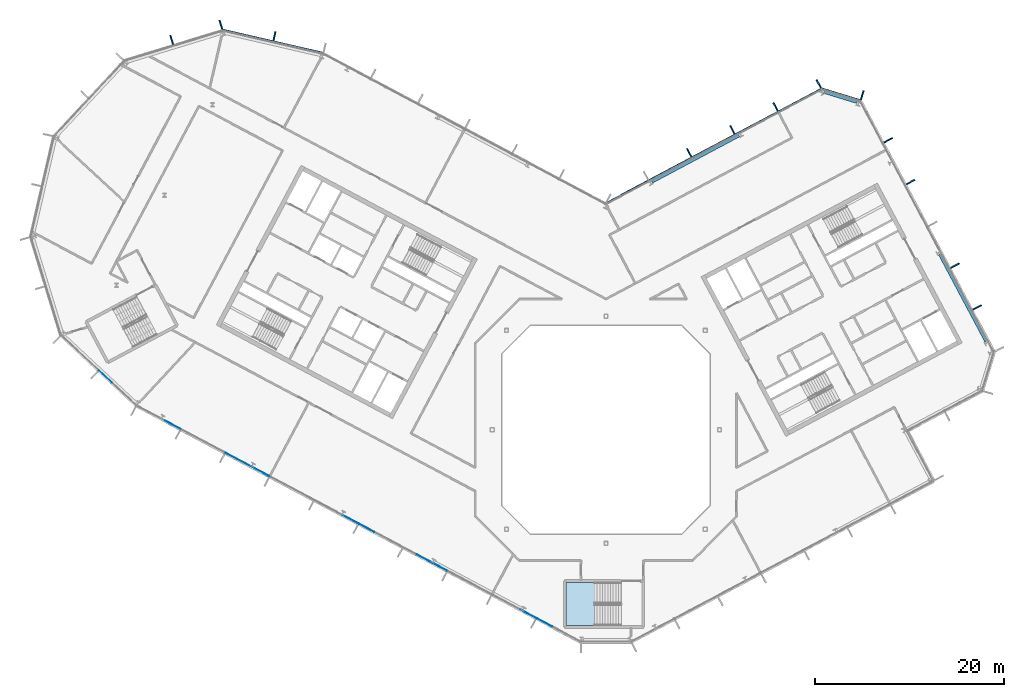
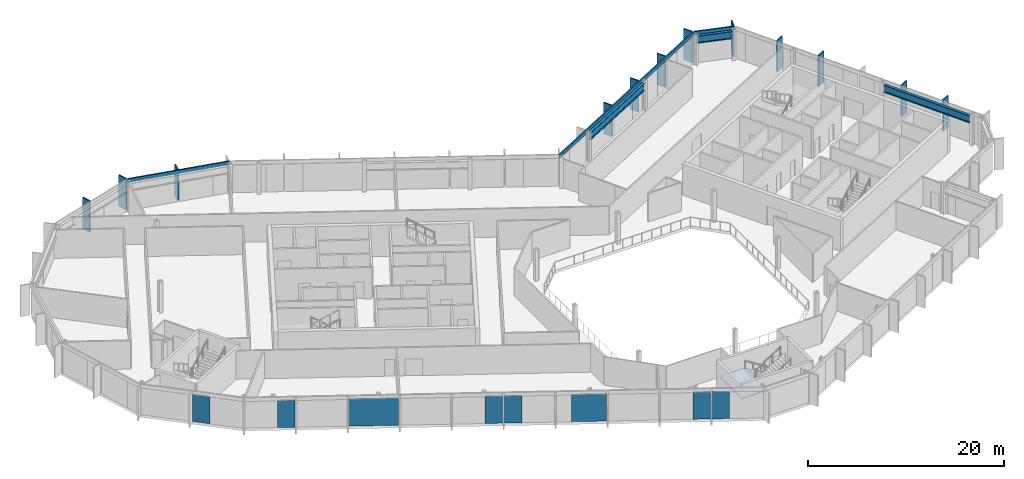
# One storey, part 10 of 25: 15 members, 8 plates, 3 beams, 1 slab, 8 elements without a shape of their own.
"""IFC4 building model written with IfcOpenShell, lengths in metres."""

from ifc_helpers import new_model, si_unit, direction, frame, origin, origin_2d, place, context, subcontext, project, spatial, polyline, rectangle, i_section, outline, extrude, material, layer, layer_set, material_profile, profile_set, type_object, element, aggregate, save


model = new_model("IFC4")

# Units and contexts
model_context = context("Model", 3, precision=1e-05, world=origin(), true_north=direction((0.0, 1.0)))
body_context = subcontext(model_context, "Body", "Model", "MODEL_VIEW")
ifc_project = project(units=[si_unit("LENGTHUNIT", "METRE"), si_unit("AREAUNIT", "SQUARE_METRE"), si_unit("VOLUMEUNIT", "CUBIC_METRE"), si_unit("PLANEANGLEUNIT", "RADIAN"), si_unit("MASSUNIT", "GRAM", prefix="KILO")], contexts=[model_context])

# Site, building, storey
site_placement = place(None, origin())
site = spatial("IfcSite", under=ifc_project, at=site_placement, CompositionType="ELEMENT")
building_placement = place(site_placement, origin())
building = spatial("IfcBuilding", under=site, at=building_placement, Name="Cormorant Relay Tower", CompositionType="ELEMENT")
storey_placement = place(building_placement, frame((0.0, 0.0, 281.39990234375)))
storey = spatial("IfcBuildingStorey", under=building, at=storey_placement, Name="L63", CompositionType="ELEMENT", Elevation=281.39990234375)

# Curtain wall, members
ifc_material_1 = material(Name="Aluminium 6063-T6 anodised bronze", Category="aluminium")
ifc_layer_1 = layer(ifc_material_1, 0.199951171875)
ifc_layer_set_1 = layer_set([ifc_layer_1], Name="CW1 unitised bronze curtain wall with vertical fins")
curtain_wall_type = type_object("IfcCurtainWallType", Name="CW1 unitised bronze curtain wall with vertical fins", PredefinedType="NOTDEFINED", material=ifc_layer_set_1)
curtain_wall_1_placement = place(storey_placement, origin())
curtain_wall_1 = element("IfcCurtainWall", 1, at=curtain_wall_1_placement, inside=storey, type_object=curtain_wall_type, Name="CW1 curtain wall 6", PredefinedType="NOTDEFINED")
ifc_material_2 = material(Name="Aluminium 6063-T6 anodised bronze", Category="aluminium")
ifc_material_profile_1 = material_profile(ifc_material_2, rectangle(XDim=0.14990234375, YDim=1.0, at=origin_2d()), Name="AL 150x1000")
ifc_profile_set_1 = profile_set([ifc_material_profile_1], Name="Aluminium 6063-T6 anodised bronze")
member_type_1 = type_object("IfcMemberType", Name="CW1 bronze fin mullion 150 x 1000", PredefinedType="MULLION", material=ifc_profile_set_1)
member_1_placement = place(storey_placement, frame((39.222412109375, 12.927001953125, 0.0), z_axis=(0.0, 0.0, 1.0), x_axis=(-0.469471562786, 0.882947592859, 0.0)))
member_1 = element("IfcMember", 2, at=member_1_placement, type_object=member_type_1, Name="CW1 fin 6.2", PredefinedType="MULLION", context=body_context, shape_type="SweptSolid", body=[
    extrude(rectangle(XDim=0.14990234375, YDim=1.0, at=origin_2d()), origin(), (0.0, 0.0, 1.0), 3.900146484375),
])
member_2_placement = place(storey_placement, frame((36.875, 17.341552734375, 0.0), z_axis=(0.0, 0.0, 1.0), x_axis=(-0.469471562786, 0.882947592859, 0.0)))
member_2 = element("IfcMember", 3, at=member_2_placement, type_object=member_type_1, Name="CW1 fin 6.3", PredefinedType="MULLION", context=body_context, shape_type="SweptSolid", body=[
    extrude(rectangle(XDim=0.14990234375, YDim=1.0, at=origin_2d()), origin(), (0.0, 0.0, 1.0), 3.900146484375),
])
member_3_placement = place(storey_placement, frame((32.18017578125, 26.171142578125, 0.0), z_axis=(0.0, 0.0, 1.0), x_axis=(-0.469471562786, 0.882947592859, 0.0)))
member_3 = element("IfcMember", 4, at=member_3_placement, type_object=member_type_1, Name="CW1 fin 6.5", PredefinedType="MULLION", context=body_context, shape_type="SweptSolid", body=[
    extrude(rectangle(XDim=0.14990234375, YDim=1.0, at=origin_2d()), origin(), (0.0, 0.0, 1.0), 3.900146484375),
])
member_4_placement = place(storey_placement, frame((29.832763671875, 30.585693359375, 0.0), z_axis=(0.0, 0.0, 1.0), x_axis=(-0.469471562786, 0.882947592859, 0.0)))
member_4 = element("IfcMember", 5, at=member_4_placement, type_object=member_type_1, Name="CW1 fin 6.6", PredefinedType="MULLION", context=body_context, shape_type="SweptSolid", body=[
    extrude(rectangle(XDim=0.14990234375, YDim=1.0, at=origin_2d()), origin(), (0.0, 0.0, 1.0), 3.900146484375),
])
aggregate(curtain_wall_1, [member_1, member_2, member_3, member_4])

# Curtain wall, member
curtain_wall_2_placement = place(storey_placement, origin())
curtain_wall_2 = element("IfcCurtainWall", 6, at=curtain_wall_2_placement, inside=storey, type_object=curtain_wall_type, Name="CW1 curtain wall 7", PredefinedType="NOTDEFINED")
member_5_placement = place(storey_placement, frame((27.072021484375, 35.34130859375, 0.0), z_axis=(0.0, 0.0, 1.0), x_axis=(-0.956304755963, 0.292371704723, 0.0)))
member_5 = element("IfcMember", 7, at=member_5_placement, type_object=member_type_1, Name="CW1 fin 7.1", PredefinedType="MULLION", context=body_context, shape_type="SweptSolid", body=[
    extrude(rectangle(XDim=0.14990234375, YDim=1.0, at=origin_2d()), origin(), (0.0, 0.0, 1.0), 3.900146484375),
])

# Curtain wall, members
curtain_wall_3_placement = place(storey_placement, origin())
curtain_wall_3 = element("IfcCurtainWall", 8, at=curtain_wall_3_placement, inside=storey, type_object=curtain_wall_type, Name="CW1 curtain wall 8", PredefinedType="NOTDEFINED")
member_6_placement = place(storey_placement, frame((22.4814453125, 36.530517578125, 0.0), z_axis=(0.0, 0.0, 1.0), x_axis=(-0.882947592859, -0.469471562786, 0.0)))
member_6 = element("IfcMember", 9, at=member_6_placement, type_object=member_type_1, Name="CW1 fin 8.1", PredefinedType="MULLION", context=body_context, shape_type="SweptSolid", body=[
    extrude(rectangle(XDim=0.14990234375, YDim=1.0, at=origin_2d()), origin(), (0.0, 0.0, 1.0), 3.900146484375),
])
member_7_placement = place(storey_placement, frame((17.91943359375, 34.104736328125, 0.0), z_axis=(0.0, 0.0, 1.0), x_axis=(-0.882947592859, -0.469471562786, 0.0)))
member_7 = element("IfcMember", 10, at=member_7_placement, type_object=member_type_1, Name="CW1 fin 8.2", PredefinedType="MULLION", context=body_context, shape_type="SweptSolid", body=[
    extrude(rectangle(XDim=0.14990234375, YDim=1.0, at=origin_2d()), origin(), (0.0, 0.0, 1.0), 3.900146484375),
])
member_8_placement = place(storey_placement, frame((13.357421875, 31.67919921875, 0.0), z_axis=(0.0, 0.0, 1.0), x_axis=(-0.882947592859, -0.469471562786, 0.0)))
member_8 = element("IfcMember", 11, at=member_8_placement, type_object=member_type_1, Name="CW1 fin 8.3", PredefinedType="MULLION", context=body_context, shape_type="SweptSolid", body=[
    extrude(rectangle(XDim=0.14990234375, YDim=1.0, at=origin_2d()), origin(), (0.0, 0.0, 1.0), 3.900146484375),
])
member_9_placement = place(storey_placement, frame((8.79541015625, 29.25341796875, 0.0), z_axis=(0.0, 0.0, 1.0), x_axis=(-0.882947592859, -0.469471562786, 0.0)))
member_9 = element("IfcMember", 12, at=member_9_placement, type_object=member_type_1, Name="CW1 fin 8.4", PredefinedType="MULLION", context=body_context, shape_type="SweptSolid", body=[
    extrude(rectangle(XDim=0.14990234375, YDim=1.0, at=origin_2d()), origin(), (0.0, 0.0, 1.0), 3.900146484375),
])

# Curtain wall, member
curtain_wall_4_placement = place(storey_placement, origin())
curtain_wall_4 = element("IfcCurtainWall", 13, at=curtain_wall_4_placement, inside=storey, type_object=curtain_wall_type, Name="CW1 curtain wall 10", PredefinedType="NOTDEFINED")
member_10_placement = place(storey_placement, frame((-35.01220703125, 41.57275390625, 0.0), z_axis=(0.0, 0.0, 1.0), x_axis=(-0.974370064785, 0.224951054344, 0.0)))
member_10 = element("IfcMember", 14, at=member_10_placement, type_object=member_type_1, Name="CW1 fin 10.2", PredefinedType="MULLION", context=body_context, shape_type="SweptSolid", body=[
    extrude(rectangle(XDim=0.14990234375, YDim=1.0, at=origin_2d()), origin(), (0.0, 0.0, 1.0), 3.900146484375),
])

# Curtain wall, members
curtain_wall_5_placement = place(storey_placement, origin())
curtain_wall_5 = element("IfcCurtainWall", 15, at=curtain_wall_5_placement, inside=storey, type_object=curtain_wall_type, Name="CW1 curtain wall 11", PredefinedType="NOTDEFINED")
member_11_placement = place(storey_placement, frame((-40.670166015625, 42.78271484375, 0.0), z_axis=(0.0, 0.0, 1.0), x_axis=(-0.956304755963, -0.292371704723, 0.0)))
member_11 = element("IfcMember", 16, at=member_11_placement, type_object=member_type_1, Name="CW1 fin 11.1", PredefinedType="MULLION", context=body_context, shape_type="SweptSolid", body=[
    extrude(rectangle(XDim=0.14990234375, YDim=1.0, at=origin_2d()), origin(), (0.0, 0.0, 1.0), 3.900146484375),
])
member_12_placement = place(storey_placement, frame((-45.867919921875, 41.193603515625, 0.0), z_axis=(0.0, 0.0, 1.0), x_axis=(-0.956304755963, -0.292371704723, 0.0)))
member_12 = element("IfcMember", 17, at=member_12_placement, type_object=member_type_1, Name="CW1 fin 11.2", PredefinedType="MULLION", context=body_context, shape_type="SweptSolid", body=[
    extrude(rectangle(XDim=0.14990234375, YDim=1.0, at=origin_2d()), origin(), (0.0, 0.0, 1.0), 3.900146484375),
])
aggregate(curtain_wall_5, [member_11, member_12])

# Member
ifc_material_3 = material(Name="Aluminium 6063-T6 anodised bronze", Category="aluminium")
ifc_material_profile_2 = material_profile(ifc_material_3, rectangle(XDim=0.159912109375, YDim=0.449951171875, at=origin_2d()), Name="AL 160x450")
ifc_profile_set_2 = profile_set([ifc_material_profile_2], Name="Aluminium 6063-T6 anodised bronze")
member_type_2 = type_object("IfcMemberType", Name="CW1 bronze transom 160 x 450", PredefinedType="USERDEFINED", material=ifc_profile_set_2)
member_13_placement = place(storey_placement, frame((26.902587890625, 34.78662109375, 3.675048828125), z_axis=(-0.956303761594, 0.292374957137, 0.0), x_axis=(-0.292374957137, -0.956303761594, 0.0)))
member_13 = element("IfcMember", 18, at=member_13_placement, type_object=member_type_2, Name="CW1 transom 7", ObjectType="TRANSOM", PredefinedType="USERDEFINED", context=body_context, shape_type="SweptSolid", body=[
    extrude(rectangle(XDim=0.159912109375, YDim=0.449951171875, at=origin_2d()), origin(), (0.0, 0.0, 1.0), 4.24267578125),
])

aggregate(curtain_wall_2, [member_5, member_13])

member_14_placement = place(storey_placement, frame((22.75390625, 36.018310546875, 3.675048828125), z_axis=(-0.882948156597, -0.469470502547, 0.0), x_axis=(0.469470502547, -0.882948156597, 0.0)))
member_14 = element("IfcMember", 19, at=member_14_placement, type_object=member_type_2, Name="CW1 transom 8", ObjectType="TRANSOM", PredefinedType="USERDEFINED", context=body_context, shape_type="SweptSolid", body=[
    extrude(rectangle(XDim=0.159912109375, YDim=0.449951171875, at=origin_2d()), origin(), (0.0, 0.0, 1.0), 25.834228515625),
])

aggregate(curtain_wall_3, [member_6, member_7, member_8, member_9, member_14])

member_15_placement = place(storey_placement, frame((-29.8466796875, 39.784912109375, 3.675048828125), z_axis=(-0.974365070969, 0.224972683844, 0.0), x_axis=(-0.224972683844, -0.974365070969, 0.0)))
member_15 = element("IfcMember", 20, at=member_15_placement, type_object=member_type_2, Name="CW1 transom 10", ObjectType="TRANSOM", PredefinedType="USERDEFINED", context=body_context, shape_type="SweptSolid", body=[
    extrude(rectangle(XDim=0.159912109375, YDim=0.449951171875, at=origin_2d()), origin(), (0.0, 0.0, 1.0), 10.870361328125),
])

aggregate(curtain_wall_4, [member_10, member_15])

# Beams
ifc_material_4 = material(Name="Steel ASTM A992 (Fy 345 MPa)", Category="steel")
ifc_material_profile_3 = material_profile(ifc_material_4, i_section(OverallWidth=0.307373046875, OverallDepth=0.927001953125, WebThickness=0.019287109375, FlangeThickness=0.031982421875, FilletRadius=0.01904296875, at=origin_2d()), Name="W920x289")
ifc_profile_set_3 = profile_set([ifc_material_profile_3], Name="Steel ASTM A992 (Fy 345 MPa)")
beam_type = type_object("IfcBeamType", Name="Spandrel W920x289", PredefinedType="SPANDREL", material=ifc_profile_set_3)
beam_1_placement = place(storey_placement, frame((40.1591796875, 9.3466796875, 3.076416015625), z_axis=(-0.469474391681, 0.882946088703, 0.0), x_axis=(-0.882946088703, -0.469474391681, 0.0)))
element("IfcBeam", 21, at=beam_1_placement, inside=storey, type_object=beam_type, Name="Spandrel beam L63-006", PredefinedType="SPANDREL", context=body_context, shape_type="SweptSolid", body=[
    extrude(i_section(OverallWidth=0.307373046875, OverallDepth=0.927001953125, WebThickness=0.019287109375, FlangeThickness=0.031982421875, FilletRadius=0.01904296875, at=origin_2d()), origin(), (0.0, 0.0, 1.0), 10.401611328125),
])
beam_2_placement = place(storey_placement, frame((26.512451171875, 34.619873046875, 3.076416015625), z_axis=(-0.956313678807, 0.292342517821, 0.0), x_axis=(-0.292342517821, -0.956313678807, 0.0)))
element("IfcBeam", 22, at=beam_2_placement, inside=storey, type_object=beam_type, Name="Spandrel beam L63-007", PredefinedType="SPANDREL", context=body_context, shape_type="SweptSolid", body=[
    extrude(i_section(OverallWidth=0.307373046875, OverallDepth=0.927001953125, WebThickness=0.019287109375, FlangeThickness=0.031982421875, FilletRadius=0.01904296875, at=origin_2d()), origin(), (0.0, 0.0, 1.0), 3.65185546875),
])
beam_3_placement = place(storey_placement, frame((14.05322265625, 31.082275390625, 3.076416015625), z_axis=(-0.882950644937, -0.469465822617, 0.0), x_axis=(0.469465822617, -0.882950644937, 0.0)))
element("IfcBeam", 23, at=beam_3_placement, inside=storey, type_object=beam_type, Name="Spandrel beam L63-008", PredefinedType="SPANDREL", context=body_context, shape_type="SweptSolid", body=[
    extrude(i_section(OverallWidth=0.307373046875, OverallDepth=0.927001953125, WebThickness=0.019287109375, FlangeThickness=0.031982421875, FilletRadius=0.01904296875, at=origin_2d()), origin(), (0.0, 0.0, 1.0), 10.4013671875),
])

# Curtain wall, plate
curtain_wall_6_placement = place(storey_placement, origin())
curtain_wall_6 = element("IfcCurtainWall", 24, at=curtain_wall_6_placement, inside=storey, type_object=curtain_wall_type, Name="CW1 curtain wall 15", PredefinedType="NOTDEFINED")
ifc_material_5 = material(Name="Tinted laminated glass", Category="glass")
ifc_layer_2 = layer(ifc_material_5, 0.0400390625)
ifc_layer_set_2 = layer_set([ifc_layer_2], Name="CW1 tinted vision panel 1800 module")
plate_type_1 = type_object("IfcPlateType", Name="CW1 tinted vision panel 1800 module", PredefinedType="CURTAIN_PANEL", material=ifc_layer_set_2)
plate_1_placement = place(storey_placement, frame((-52.8671875, 5.611572265625, 0.0), z_axis=(0.0, 0.0, 1.0), x_axis=(0.731353701619, -0.681998360062, 0.0)))
plate_1 = element("IfcPlate", 25, at=plate_1_placement, type_object=plate_type_1, Name="CW1 panel V01", PredefinedType="CURTAIN_PANEL", context=body_context, shape_type="SweptSolid", body=[
    extrude(rectangle(XDim=1.800048828125, YDim=0.0400390625, at=origin_2d()), origin(), (0.0, 0.0, 1.0), 3.449951171875),
])
aggregate(curtain_wall_6, [plate_1])

# Curtain wall, plates
curtain_wall_7_placement = place(storey_placement, origin())
curtain_wall_7 = element("IfcCurtainWall", 26, at=curtain_wall_7_placement, inside=storey, type_object=curtain_wall_type, Name="CW1 curtain wall 16", PredefinedType="NOTDEFINED")
plate_2_placement = place(storey_placement, frame((-45.767578125, 0.5283203125, 0.0), z_axis=(0.0, 0.0, 1.0), x_axis=(0.882947592859, -0.469471562786, 0.0)))
plate_2 = element("IfcPlate", 27, at=plate_2_placement, type_object=plate_type_1, Name="CW1 panel V01", PredefinedType="CURTAIN_PANEL", context=body_context, shape_type="SweptSolid", body=[
    extrude(rectangle(XDim=1.800048828125, YDim=0.0400390625, at=origin_2d()), origin(), (0.0, 0.0, 1.0), 3.449951171875),
])
plate_3_placement = place(storey_placement, frame((-26.990478515625, -9.45556640625, 0.0), z_axis=(0.0, 0.0, 1.0), x_axis=(0.882947592859, -0.469471562786, 0.0)))
plate_3 = element("IfcPlate", 28, at=plate_3_placement, type_object=plate_type_1, Name="CW1 panel V05", PredefinedType="CURTAIN_PANEL", context=body_context, shape_type="SweptSolid", body=[
    extrude(rectangle(XDim=1.800048828125, YDim=0.0400390625, at=origin_2d()), origin(), (0.0, 0.0, 1.0), 3.449951171875),
])
plate_4_placement = place(storey_placement, frame((-25.268798828125, -10.37109375, 0.0), z_axis=(0.0, 0.0, 1.0), x_axis=(0.882947592859, -0.469471562786, 0.0)))
plate_4 = element("IfcPlate", 29, at=plate_4_placement, type_object=plate_type_1, Name="CW1 panel V06", PredefinedType="CURTAIN_PANEL", context=body_context, shape_type="SweptSolid", body=[
    extrude(rectangle(XDim=1.800048828125, YDim=0.0400390625, at=origin_2d()), origin(), (0.0, 0.0, 1.0), 3.449951171875),
])
plate_5_placement = place(storey_placement, frame((-8.21337890625, -19.439453125, 0.0), z_axis=(0.0, 0.0, 1.0), x_axis=(0.882947592859, -0.469471562786, 0.0)))
plate_5 = element("IfcPlate", 30, at=plate_5_placement, type_object=plate_type_1, Name="CW1 panel V10", PredefinedType="CURTAIN_PANEL", context=body_context, shape_type="SweptSolid", body=[
    extrude(rectangle(XDim=1.800048828125, YDim=0.0400390625, at=origin_2d()), origin(), (0.0, 0.0, 1.0), 3.449951171875),
])
plate_6_placement = place(storey_placement, frame((-6.49169921875, -20.35498046875, 0.0), z_axis=(0.0, 0.0, 1.0), x_axis=(0.882947592859, -0.469471562786, 0.0)))
plate_6 = element("IfcPlate", 31, at=plate_6_placement, type_object=plate_type_1, Name="CW1 panel V11", PredefinedType="CURTAIN_PANEL", context=body_context, shape_type="SweptSolid", body=[
    extrude(rectangle(XDim=1.800048828125, YDim=0.0400390625, at=origin_2d()), origin(), (0.0, 0.0, 1.0), 3.449951171875),
])
ifc_material_6 = material(Name="Tinted laminated glass", Category="glass")
ifc_layer_3 = layer(ifc_material_6, 0.0400390625)
ifc_layer_set_3 = layer_set([ifc_layer_3], Name="CW1 tinted vision panel 3600 module")
plate_type_2 = type_object("IfcPlateType", Name="CW1 tinted vision panel 3600 module", PredefinedType="CURTAIN_PANEL", material=ifc_layer_set_3)
plate_7_placement = place(storey_placement, frame((-18.396484375, -14.02490234375, 0.0), z_axis=(0.0, 0.0, 1.0), x_axis=(0.882947592859, -0.469471562786, 0.0)))
plate_7 = element("IfcPlate", 32, at=plate_7_placement, type_object=plate_type_2, Name="CW1 panel V08", PredefinedType="CURTAIN_PANEL", context=body_context, shape_type="SweptSolid", body=[
    extrude(rectangle(XDim=3.60009765625, YDim=0.0400390625, at=origin_2d()), origin(), (0.0, 0.0, 1.0), 3.449951171875),
])
ifc_material_7 = material(Name="Tinted laminated glass", Category="glass")
ifc_layer_4 = layer(ifc_material_7, 0.0400390625)
ifc_layer_set_4 = layer_set([ifc_layer_4], Name="CW1 tinted vision panel 5400 module")
plate_type_3 = type_object("IfcPlateType", Name="CW1 tinted vision panel 5400 module", PredefinedType="CURTAIN_PANEL", material=ifc_layer_set_4)
plate_8_placement = place(storey_placement, frame((-37.865234375, -3.67333984375, 0.0), z_axis=(0.0, 0.0, 1.0), x_axis=(0.882947592859, -0.469471562786, 0.0)))
plate_8 = element("IfcPlate", 33, at=plate_8_placement, type_object=plate_type_3, Name="CW1 panel V03", PredefinedType="CURTAIN_PANEL", context=body_context, shape_type="SweptSolid", body=[
    extrude(rectangle(XDim=5.16650390625, YDim=0.0400390625, at=origin_2d()), origin(), (0.0, 0.0, 1.0), 3.449951171875),
])
aggregate(curtain_wall_7, [plate_2, plate_8, plate_3, plate_4, plate_7, plate_5, plate_6])

# Stair, slab
ifc_material_8 = material(Name="Concrete 40 MPa", Category="concrete")
stair_type = type_object("IfcStairType", Name="Remote exit stair 2200", PredefinedType="HALF_TURN_STAIR", material=ifc_material_8)
stair_placement = place(storey_placement, origin())
stair = element("IfcStair", 34, at=stair_placement, inside=storey, type_object=stair_type, Name="L63 Stair", PredefinedType="HALF_TURN_STAIR")
ifc_material_9 = material(Name="Concrete 40 MPa", Category="concrete")
ifc_layer_5 = layer(ifc_material_9, 0.199951171875)
ifc_layer_set_5 = layer_set([ifc_layer_5], Name="Exit stair landing 200")
slab_type = type_object("IfcSlabType", Name="Exit stair landing 200", PredefinedType="LANDING", material=ifc_layer_set_5)
slab_placement = place(storey_placement, frame((0.0, 0.0, 1.75)))
slab = element("IfcSlab", 35, at=slab_placement, type_object=slab_type, Name="RK1 landing 1", PredefinedType="LANDING", context=body_context, shape_type="SweptSolid", body=[
    extrude(outline(polyline([(-1.199951171875, -16.125), (-4.199951171875, -16.125), (-4.199951171875, -20.675048828125), (-1.199951171875, -20.675048828125), (-1.199951171875, -16.125)])), origin(), (0.0, 0.0, 1.0), 0.2001953125),
])
aggregate(stair, [slab])

save(model, "model.ifc")
